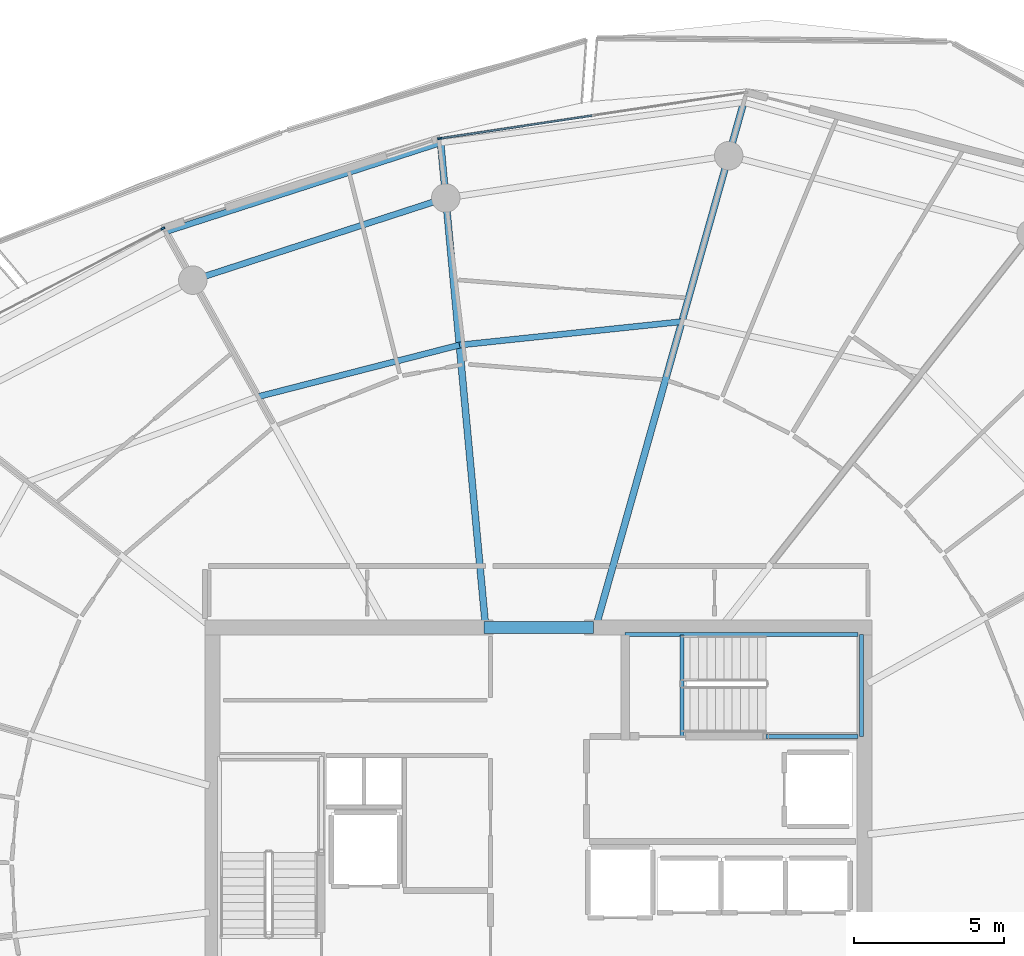
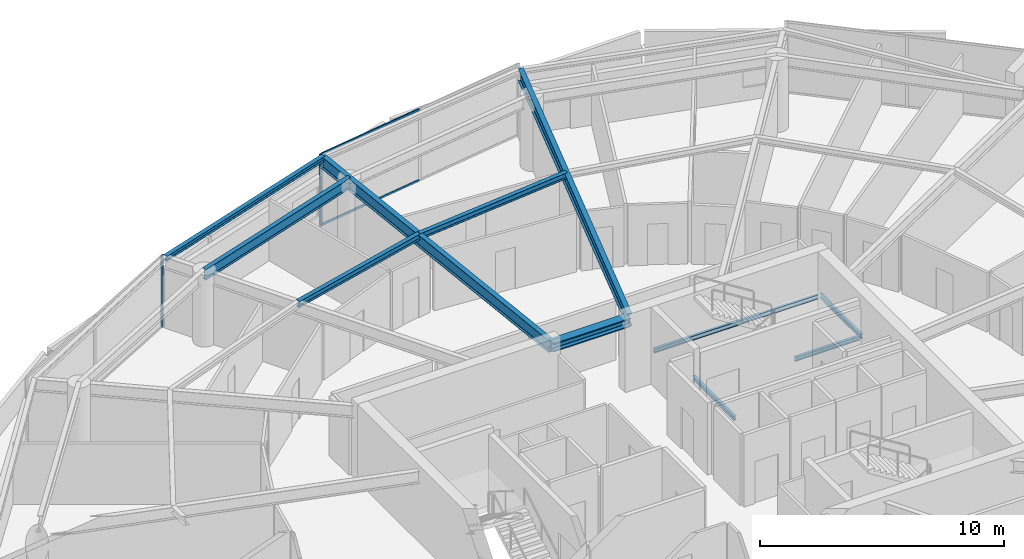
# One storey, part 13 of 30: 11 beams, 4 members, 2 elements without a shape of their own.
"""IFC4 building model written with IfcOpenShell, lengths in metres."""

from ifc_helpers import new_model, si_unit, direction, frame, origin, origin_2d, place, context, subcontext, project, spatial, rectangle, i_section, extrude, material, layer, layer_set, material_profile, profile_set, type_object, element, aggregate, save


model = new_model("IFC4")

# Units and contexts
model_context = context("Model", 3, precision=1e-05, world=origin(), true_north=direction((0.0, 1.0)))
body_context = subcontext(model_context, "Body", "Model", "MODEL_VIEW")
ifc_project = project(units=[si_unit("LENGTHUNIT", "METRE"), si_unit("AREAUNIT", "SQUARE_METRE"), si_unit("VOLUMEUNIT", "CUBIC_METRE"), si_unit("PLANEANGLEUNIT", "RADIAN"), si_unit("MASSUNIT", "GRAM", prefix="KILO")], contexts=[model_context])

# Site, building, storey
site_placement = place(None, origin())
site = spatial("IfcSite", under=ifc_project, at=site_placement, CompositionType="ELEMENT")
building_placement = place(site_placement, origin())
building = spatial("IfcBuilding", under=site, at=building_placement, Name="Kazma Halo Residences", CompositionType="ELEMENT")
storey_placement = place(building_placement, frame((0.0, 0.0, 290.60009765625)))
storey = spatial("IfcBuildingStorey", under=building, at=storey_placement, Name="L73", CompositionType="ELEMENT", Elevation=290.60009765625)

# Beams
ifc_material_1 = material(Name="Steel S355", Category="steel")
ifc_material_profile_1 = material_profile(ifc_material_1, i_section(OverallWidth=0.201904296875, OverallDepth=0.2470703125, WebThickness=0.00732421875, FlangeThickness=0.010986328125, FilletRadius=0.011962890625, at=origin_2d()), Name="W250x49.1")
ifc_profile_set_1 = profile_set([ifc_material_profile_1], Name="Steel S355")
beam_type_1 = type_object("IfcBeamType", Name="BM-BAL-CANT", PredefinedType="BEAM", material=ifc_profile_set_1)
beam_1_placement = place(storey_placement, frame((45.157470703125, 66.412841796875, 3.46630859375), z_axis=(-0.95136941054, -0.308052340826, 0.0), x_axis=(0.308052340826, -0.95136941054, 0.0)))
element("IfcBeam", 1, at=beam_1_placement, inside=storey, type_object=beam_type_1, Name="L73 wave-balcony tie beam 04", PredefinedType="BEAM", context=body_context, shape_type="SweptSolid", body=[
    extrude(i_section(OverallWidth=0.201904296875, OverallDepth=0.2470703125, WebThickness=0.00732421875, FlangeThickness=0.010986328125, FilletRadius=0.011962890625, at=origin_2d()), origin(), (0.0, 0.0, 1.0), 9.635498046875),
])
ifc_material_profile_2 = material_profile(ifc_material_1, i_section(OverallWidth=0.408935546875, OverallDepth=0.425048828125, WebThickness=0.03271484375, FlangeThickness=0.052490234375, FilletRadius=0.02001953125, at=origin_2d()), Name="W360x421")
ifc_profile_set_2 = profile_set([ifc_material_profile_2], Name="Steel S355")
beam_type_2 = type_object("IfcBeamType", Name="BM-CORE-W360H", PredefinedType="BEAM", material=ifc_profile_set_2)
beam_2_placement = place(storey_placement, frame((46.60009765625, 50.25, 3.37744140625), z_axis=(1.0, 0.0, 0.0), x_axis=(0.0, 1.0, 0.0)))
element("IfcBeam", 2, at=beam_2_placement, inside=storey, type_object=beam_type_2, Name="L73 core coupling beam N", PredefinedType="BEAM", context=body_context, shape_type="SweptSolid", body=[
    extrude(i_section(OverallWidth=0.408935546875, OverallDepth=0.425048828125, WebThickness=0.03271484375, FlangeThickness=0.052490234375, FilletRadius=0.02001953125, at=origin_2d()), origin(), (0.0, 0.0, 1.0), 3.64990234375),
])
ifc_material_profile_3 = material_profile(ifc_material_1, i_section(OverallWidth=0.22802734375, OverallDepth=0.60791015625, WebThickness=0.01123046875, FlangeThickness=0.017333984375, FilletRadius=0.01806640625, at=origin_2d()), Name="W610x113")
ifc_profile_set_3 = profile_set([ifc_material_profile_3], Name="Steel S355")
beam_type_3 = type_object("IfcBeamType", Name="BM-RAD-W610", PredefinedType="BEAM", material=ifc_profile_set_3)
beam_3_placement = place(storey_placement, frame((50.35498046875, 50.35009765625, 3.285888671875), z_axis=(0.271443175073, 0.962454467861, 0.0), x_axis=(-0.962454467861, 0.271443175073, 0.0)))
element("IfcBeam", 3, at=beam_3_placement, inside=storey, type_object=beam_type_3, Name="L73 radial floor beam 03", PredefinedType="BEAM", context=body_context, shape_type="SweptSolid", body=[
    extrude(i_section(OverallWidth=0.22802734375, OverallDepth=0.60791015625, WebThickness=0.01123046875, FlangeThickness=0.017333984375, FilletRadius=0.01806640625, at=origin_2d()), origin(), (0.0, 0.0, 1.0), 18.089111328125),
])
beam_4_placement = place(storey_placement, frame((46.64990234375, 50.35009765625, 3.285888671875), z_axis=(-0.092514152003, 0.995711369664, 0.0), x_axis=(-0.995711369664, -0.092514152003, 0.0)))
element("IfcBeam", 4, at=beam_4_placement, inside=storey, type_object=beam_type_3, Name="L73 radial floor beam 04", PredefinedType="BEAM", context=body_context, shape_type="SweptSolid", body=[
    extrude(i_section(OverallWidth=0.22802734375, OverallDepth=0.60791015625, WebThickness=0.01123046875, FlangeThickness=0.017333984375, FilletRadius=0.01806640625, at=origin_2d()), origin(), (0.0, 0.0, 1.0), 16.1318359375),
])
ifc_material_profile_4 = material_profile(ifc_material_1, i_section(OverallWidth=0.202880859375, OverallDepth=0.302978515625, WebThickness=0.007568359375, FlangeThickness=0.01318359375, FilletRadius=0.013916015625, at=origin_2d()), Name="W310x60")
ifc_profile_set_4 = profile_set([ifc_material_profile_4], Name="Steel S355")
beam_type_4 = type_object("IfcBeamType", Name="BM-SEC-W310A", PredefinedType="JOIST", material=ifc_profile_set_4)
beam_5_placement = place(storey_placement, frame((53.202880859375, 60.44775390625, 3.4384765625), z_axis=(-0.994500789339, -0.104729079076, 0.0), x_axis=(0.104729079076, -0.994500789339, 0.0)))
element("IfcBeam", 5, at=beam_5_placement, inside=storey, type_object=beam_type_4, Name="L73 circumferential floor joist 03", PredefinedType="JOIST", context=body_context, shape_type="SweptSolid", body=[
    extrude(i_section(OverallWidth=0.202880859375, OverallDepth=0.302978515625, WebThickness=0.007568359375, FlangeThickness=0.01318359375, FilletRadius=0.013916015625, at=origin_2d()), origin(), (0.0, 0.0, 1.0), 7.459716796875),
])
beam_6_placement = place(storey_placement, frame((45.7841796875, 59.66650390625, 3.4384765625), z_axis=(-0.968655607923, -0.248407554714, 0.0), x_axis=(0.248407554714, -0.968655607923, 0.0)))
element("IfcBeam", 6, at=beam_6_placement, inside=storey, type_object=beam_type_4, Name="L73 circumferential floor joist 04", PredefinedType="JOIST", context=body_context, shape_type="SweptSolid", body=[
    extrude(i_section(OverallWidth=0.202880859375, OverallDepth=0.302978515625, WebThickness=0.007568359375, FlangeThickness=0.01318359375, FilletRadius=0.013916015625, at=origin_2d()), origin(), (0.0, 0.0, 1.0), 6.930908203125),
])
ifc_material_profile_5 = material_profile(ifc_material_1, i_section(OverallWidth=0.208984375, OverallDepth=0.532958984375, WebThickness=0.01025390625, FlangeThickness=0.015625, FilletRadius=0.01611328125, at=origin_2d()), Name="W530x92")
ifc_profile_set_5 = profile_set([ifc_material_profile_5], Name="Steel S355")
beam_type_5 = type_object("IfcBeamType", Name="BM-SPN-W530", PredefinedType="BEAM", material=ifc_profile_set_5)
beam_7_placement = place(storey_placement, frame((45.32861328125, 64.57080078125, 3.323486328125), z_axis=(-0.951053893407, -0.309025066679, 0.0), x_axis=(0.309025066679, -0.951053893407, 0.0)))
element("IfcBeam", 7, at=beam_7_placement, inside=storey, type_object=beam_type_5, Name="L73 perimeter ring beam 04", PredefinedType="BEAM", context=body_context, shape_type="SweptSolid", body=[
    extrude(i_section(OverallWidth=0.208984375, OverallDepth=0.532958984375, WebThickness=0.01025390625, FlangeThickness=0.015625, FilletRadius=0.01611328125, at=origin_2d()), origin(), (0.0, 0.0, 1.0), 8.8681640625),
])
ifc_material_profile_6 = material_profile(ifc_material_1, i_section(OverallWidth=0.133056640625, OverallDepth=0.20703125, WebThickness=0.005859375, FlangeThickness=0.00830078125, FilletRadius=0.010009765625, at=origin_2d()), Name="W200x26.6")
ifc_profile_set_6 = profile_set([ifc_material_profile_6], Name="Steel S355")
beam_type_6 = type_object("IfcBeamType", Name="BM-TRIM-W200", PredefinedType="BEAM", material=ifc_profile_set_6)
beam_8_placement = place(storey_placement, frame((53.199951171875, 46.6201171875, -0.3701171875), z_axis=(0.0, 1.0, 0.0), x_axis=(-1.0, 0.0, 0.0)))
element("IfcBeam", 8, at=beam_8_placement, inside=storey, type_object=beam_type_6, Name="L73 ST-02 floor landing support beam", PredefinedType="BEAM", context=body_context, shape_type="SweptSolid", body=[
    extrude(i_section(OverallWidth=0.133056640625, OverallDepth=0.20703125, WebThickness=0.005859375, FlangeThickness=0.00830078125, FilletRadius=0.010009765625, at=origin_2d()), origin(), (0.0, 0.0, 1.0), 3.3798828125),
])
beam_9_placement = place(storey_placement, frame((51.31005859375, 50.02001953125, 1.619873046875), z_axis=(1.0, 0.0, 0.0), x_axis=(0.0, 1.0, 0.0)))
element("IfcBeam", 9, at=beam_9_placement, inside=storey, type_object=beam_type_6, Name="L73 ST-02 landing north wall ledger", PredefinedType="BEAM", context=body_context, shape_type="SweptSolid", body=[
    extrude(i_section(OverallWidth=0.133056640625, OverallDepth=0.20703125, WebThickness=0.005859375, FlangeThickness=0.00830078125, FilletRadius=0.010009765625, at=origin_2d()), origin(), (0.0, 0.0, 1.0), 7.760009765625),
])
beam_10_placement = place(storey_placement, frame((56.0, 46.6201171875, 1.619873046875), z_axis=(1.0, 0.0, 0.0), x_axis=(0.0, 1.0, 0.0)))
element("IfcBeam", 10, at=beam_10_placement, inside=storey, type_object=beam_type_6, Name="L73 ST-02 landing south wall ledger", PredefinedType="BEAM", context=body_context, shape_type="SweptSolid", body=[
    extrude(i_section(OverallWidth=0.133056640625, OverallDepth=0.20703125, WebThickness=0.005859375, FlangeThickness=0.00830078125, FilletRadius=0.010009765625, at=origin_2d()), origin(), (0.0, 0.0, 1.0), 3.070068359375),
])
beam_11_placement = place(storey_placement, frame((59.18994140625, 46.6201171875, 1.619873046875), z_axis=(0.0, 1.0, 0.0), x_axis=(-1.0, 0.0, 0.0)))
element("IfcBeam", 11, at=beam_11_placement, inside=storey, type_object=beam_type_6, Name="L73 ST-02 landing end wall ledger", PredefinedType="BEAM", context=body_context, shape_type="SweptSolid", body=[
    extrude(i_section(OverallWidth=0.133056640625, OverallDepth=0.20703125, WebThickness=0.005859375, FlangeThickness=0.00830078125, FilletRadius=0.010009765625, at=origin_2d()), origin(), (0.0, 0.0, 1.0), 3.39990234375),
])

# Curtain wall, member
ifc_material_2 = material(Name="Aluminium AW-6063 T6 and Triple-Silver Low-E Glass", Category="aluminium")
ifc_layer = layer(ifc_material_2, 0.139892578125)
ifc_layer_set = layer_set([ifc_layer], Name="Aluminium AW-6063 T6 and Triple-Silver Low-E Glass")
curtain_wall_type = type_object("IfcCurtainWallType", Name="CW-SYS-5", PredefinedType="NOTDEFINED", material=ifc_layer_set)
curtain_wall_1_placement = place(storey_placement, origin())
curtain_wall_1 = element("IfcCurtainWall", 12, at=curtain_wall_1_placement, inside=storey, type_object=curtain_wall_type, Name="L73 unitised curtain wall B03", PredefinedType="NOTDEFINED")
ifc_material_3 = material(Name="Aluminium AW-6063 T6", Category="aluminium")
ifc_material_profile_7 = material_profile(ifc_material_3, rectangle(XDim=0.06005859375, YDim=0.139892578125, at=origin_2d()), Name="CWM-60x140")
ifc_profile_set_7 = profile_set([ifc_material_profile_7], Name="Aluminium AW-6063 T6")
member_type_1 = type_object("IfcMemberType", Name="CW-SYS-5-MUL", PredefinedType="MULLION", material=ifc_profile_set_7)
member_1_placement = place(storey_placement, frame((45.124267578125, 66.552734375, 0.0), z_axis=(0.0, 0.0, 1.0), x_axis=(0.148697080374, -0.988882792998, 0.0)))
member_1 = element("IfcMember", 13, at=member_1_placement, type_object=member_type_1, Name="CWS-5 mullion 3", PredefinedType="MULLION", context=body_context, shape_type="SweptSolid", body=[
    extrude(rectangle(XDim=0.06005859375, YDim=0.139892578125, at=origin_2d()), origin(), (0.0, 0.0, 1.0), 3.58984375),
])

curtain_wall_2_placement = place(storey_placement, origin())
curtain_wall_2 = element("IfcCurtainWall", 14, at=curtain_wall_2_placement, inside=storey, type_object=curtain_wall_type, Name="L73 unitised curtain wall B05", PredefinedType="NOTDEFINED")
member_2_placement = place(storey_placement, frame((35.894775390625, 63.553955078125, 0.0), z_axis=(0.0, 0.0, 1.0), x_axis=(0.460960760804, -0.887420518694, 0.0)))
member_2 = element("IfcMember", 15, at=member_2_placement, type_object=member_type_1, Name="CWS-5 mullion 1", PredefinedType="MULLION", context=body_context, shape_type="SweptSolid", body=[
    extrude(rectangle(XDim=0.06005859375, YDim=0.139892578125, at=origin_2d()), origin(), (0.0, 0.0, 1.0), 3.58984375),
])
aggregate(curtain_wall_2, [member_2])

# Member
ifc_material_profile_8 = material_profile(ifc_material_3, rectangle(XDim=0.06005859375, YDim=0.10498046875, at=origin_2d()), Name="CWT-60x105")
ifc_profile_set_8 = profile_set([ifc_material_profile_8], Name="Aluminium AW-6063 T6")
member_type_2 = type_object("IfcMemberType", Name="CW-SYS-5-TRN", PredefinedType="USERDEFINED", material=ifc_profile_set_8)
member_3_placement = place(storey_placement, frame((50.19677734375, 67.3154296875, 0.02978515625), z_axis=(-0.988882913569, -0.148696278541, 0.0), x_axis=(0.148696278541, -0.988882913569, 0.0)))
member_3 = element("IfcMember", 16, at=member_3_placement, type_object=member_type_2, Name="CWS-5 transom 2.1", ObjectType="TRANSOM", PredefinedType="USERDEFINED", context=body_context, shape_type="SweptSolid", body=[
    extrude(rectangle(XDim=0.06005859375, YDim=0.10498046875, at=origin_2d()), origin(), (0.0, 0.0, 1.0), 5.099609375),
])

member_4_placement = place(storey_placement, frame((50.19677734375, 67.3154296875, 3.559814453125), z_axis=(-0.988882913569, -0.148696278541, 0.0), x_axis=(0.148696278541, -0.988882913569, 0.0)))
member_4 = element("IfcMember", 17, at=member_4_placement, type_object=member_type_2, Name="CWS-5 transom 2.2", ObjectType="TRANSOM", PredefinedType="USERDEFINED", context=body_context, shape_type="SweptSolid", body=[
    extrude(rectangle(XDim=0.06005859375, YDim=0.10498046875, at=origin_2d()), origin(), (0.0, 0.0, 1.0), 5.099609375),
])

aggregate(curtain_wall_1, [member_1, member_3, member_4])

save(model, "model.ifc")
